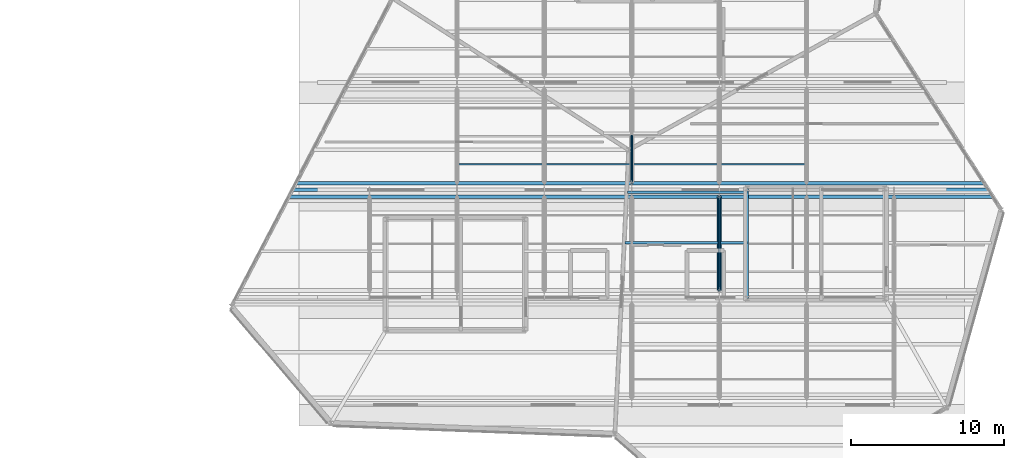
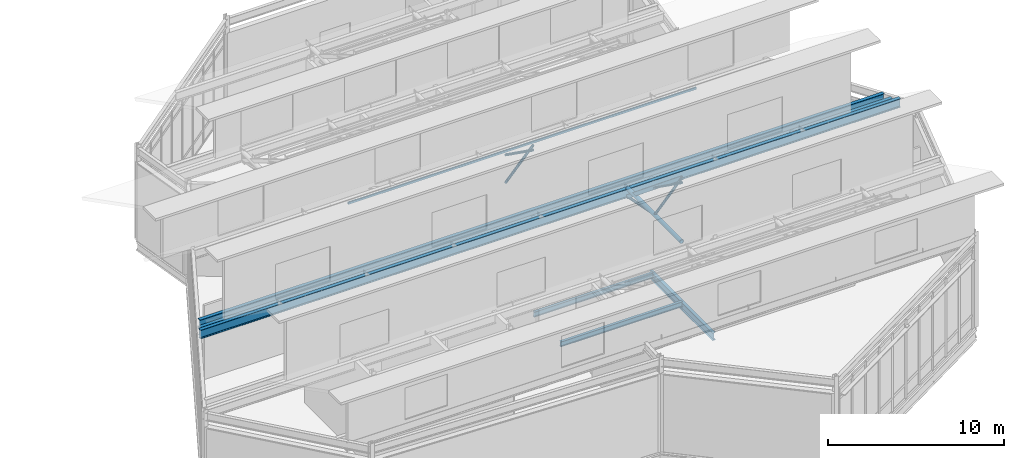
# One storey, part 20 of 55: 7 beams, 7 members.
"""IFC4 building model written with IfcOpenShell, lengths in metres."""

from ifc_helpers import new_model, si_unit, direction, frame, origin, origin_2d, place, context, subcontext, project, spatial, hollow_rectangle, hollow_circle, i_section, extrude, material, material_profile, profile_set, type_object, element, save


model = new_model("IFC4")

# Units and contexts
model_context = context("Model", 3, precision=1e-05, world=origin(), true_north=direction((0.0, 1.0)))
body_context = subcontext(model_context, "Body", "Model", "MODEL_VIEW")
ifc_project = project(units=[si_unit("LENGTHUNIT", "METRE"), si_unit("AREAUNIT", "SQUARE_METRE"), si_unit("VOLUMEUNIT", "CUBIC_METRE"), si_unit("PLANEANGLEUNIT", "RADIAN"), si_unit("MASSUNIT", "GRAM", prefix="KILO")], contexts=[model_context])

# Site, building, storey
site_placement = place(None, origin())
site = spatial("IfcSite", under=ifc_project, at=site_placement, CompositionType="ELEMENT")
building_placement = place(site_placement, origin())
building = spatial("IfcBuilding", under=site, at=building_placement, Name="Tameran Prism Museum", CompositionType="ELEMENT")
storey_placement = place(building_placement, frame((0.0, 0.0, 28.800048828125)))
storey = spatial("IfcBuildingStorey", under=building, at=storey_placement, Name="L05", CompositionType="ELEMENT", Elevation=28.800048828125)

# Beams
ifc_material_1 = material(Name="Steel Grade 300PLUS (300 MPa)", Category="steel")
ifc_material_profile_1 = material_profile(ifc_material_1, i_section(OverallWidth=0.172119140625, OverallDepth=0.35888671875, WebThickness=0.008056640625, FlangeThickness=0.012939453125, FilletRadius=0.011474609375, at=origin_2d()))
ifc_profile_set_1 = profile_set([ifc_material_profile_1])
beam_type_1 = type_object("IfcBeamType", Name="BM-J360A", PredefinedType="JOIST", material=ifc_profile_set_1)
beam_1_placement = place(storey_placement, frame((118.7060546875, 86.35009765625, -0.41943359375), z_axis=(1.0, 0.0, 0.0), x_axis=(0.0, 1.0, 0.0)))
element("IfcBeam", 1, at=beam_1_placement, inside=storey, type_object=beam_type_1, Name="Floor Beam BM-1301", PredefinedType="JOIST", context=body_context, shape_type="SweptSolid", body=[
    extrude(i_section(OverallWidth=0.172119140625, OverallDepth=0.35888671875, WebThickness=0.008056640625, FlangeThickness=0.012939453125, FilletRadius=0.011474609375, at=origin_2d()), origin(), (0.0, 0.0, 1.0), 7.81396484375),
])
ifc_material_2 = material(Name="Steel Grade 300PLUS (300 MPa)", Category="steel")
ifc_material_profile_2 = material_profile(ifc_material_2, i_section(OverallWidth=0.1708984375, OverallDepth=0.35595703125, WebThickness=0.00732421875, FlangeThickness=0.011474609375, FilletRadius=0.011474609375, at=origin_2d()))
ifc_profile_set_2 = profile_set([ifc_material_profile_2])
beam_type_2 = type_object("IfcBeamType", Name="BM-J360B", PredefinedType="JOIST", material=ifc_profile_set_2)
beam_2_placement = place(storey_placement, frame((118.5458984375, 83.050048828125, -0.41796875), z_axis=(1.0, 0.0, 0.0), x_axis=(0.0, 1.0, 0.0)))
element("IfcBeam", 2, at=beam_2_placement, inside=storey, type_object=beam_type_2, Name="Floor Beam BM-1299", PredefinedType="JOIST", context=body_context, shape_type="SweptSolid", body=[
    extrude(i_section(OverallWidth=0.1708984375, OverallDepth=0.35595703125, WebThickness=0.00732421875, FlangeThickness=0.011474609375, FilletRadius=0.011474609375, at=origin_2d()), origin(), (0.0, 0.0, 1.0), 7.97412109375),
])
ifc_material_3 = material(Name="Steel Grade C350L0 (350 MPa)", Category="steel")
ifc_material_profile_3 = material_profile(ifc_material_3, hollow_rectangle(XDim=0.10009765625, YDim=0.14990234375, WallThickness=0.006103515625, InnerFilletRadius=0.009033203125, OuterFilletRadius=0.014892578125, at=origin_2d()))
ifc_profile_set_3 = profile_set([ifc_material_profile_3])
beam_type_3 = type_object("IfcBeamType", Name="BM-PUR150", PredefinedType="USERDEFINED", material=ifc_profile_set_3)
beam_3_placement = place(storey_placement, frame((107.60009765625, 88.1640625, 10.0390625), z_axis=(1.0, 0.0, 0.0), x_axis=(0.0, 1.0, 0.0)))
element("IfcBeam", 3, at=beam_3_placement, inside=storey, type_object=beam_type_3, Name="Sawtooth Purlin PR-013", ObjectType="PURLIN", PredefinedType="USERDEFINED", context=body_context, shape_type="SweptSolid", body=[
    extrude(hollow_rectangle(XDim=0.10009765625, YDim=0.14990234375, WallThickness=0.006103515625, InnerFilletRadius=0.009033203125, OuterFilletRadius=0.014892578125, at=origin_2d()), origin(), (0.0, 0.0, 1.0), 22.7998046875),
])
ifc_material_4 = material(Name="Steel Grade 300PLUS (300 MPa)", Category="steel")
ifc_material_profile_4 = material_profile(ifc_material_4, i_section(OverallWidth=0.208984375, OverallDepth=0.528076171875, WebThickness=0.009521484375, FlangeThickness=0.01318359375, FilletRadius=0.013916015625, at=origin_2d()))
ifc_profile_set_4 = profile_set([ifc_material_profile_4])
beam_type_4 = type_object("IfcBeamType", Name="BM-SP530B", PredefinedType="SPANDREL", material=ifc_profile_set_4)
beam_4_placement = place(storey_placement, frame((126.52001953125, 86.580078125, -0.504150390625), z_axis=(0.0, -1.0, 0.0), x_axis=(1.0, 0.0, 0.0)))
element("IfcBeam", 4, at=beam_4_placement, inside=storey, type_object=beam_type_4, Name="Core Ring Beam CTB-1278", PredefinedType="SPANDREL", context=body_context, shape_type="SweptSolid", body=[
    extrude(i_section(OverallWidth=0.208984375, OverallDepth=0.528076171875, WebThickness=0.009521484375, FlangeThickness=0.01318359375, FilletRadius=0.013916015625, at=origin_2d()), origin(), (0.0, 0.0, 1.0), 7.16015625),
])
ifc_material_5 = material(Name="Steel Grade 300PLUS (300 MPa)", Category="steel")
ifc_material_profile_5 = material_profile(ifc_material_5, i_section(OverallWidth=0.22900390625, OverallDepth=0.612060546875, WebThickness=0.011962890625, FlangeThickness=0.01953125, FilletRadius=0.013916015625, at=origin_2d()))
ifc_profile_set_5 = profile_set([ifc_material_profile_5])
beam_type_5 = type_object("IfcBeamType", Name="BM-UB610A", PredefinedType="BEAM", material=ifc_profile_set_5)
beam_5_placement = place(storey_placement, frame((96.68505859375, 86.06005859375, 6.10595703125), z_axis=(1.0, 0.0, 0.0), x_axis=(0.0, 1.0, 0.0)))
element("IfcBeam", 5, at=beam_5_placement, inside=storey, type_object=beam_type_5, Name="Sawtooth Support Girder SRG-011", PredefinedType="BEAM", context=body_context, shape_type="SweptSolid", body=[
    extrude(i_section(OverallWidth=0.22900390625, OverallDepth=0.612060546875, WebThickness=0.011962890625, FlangeThickness=0.01953125, FilletRadius=0.013916015625, at=origin_2d()), origin(), (0.0, 0.0, 1.0), 45.81689453125),
])
beam_6_placement = place(storey_placement, frame((97.14501953125, 86.93994140625, 6.10595703125), z_axis=(1.0, 0.0, 0.0), x_axis=(0.0, 1.0, 0.0)))
element("IfcBeam", 6, at=beam_6_placement, inside=storey, type_object=beam_type_5, Name="Sawtooth Support Girder SRG-016", PredefinedType="BEAM", context=body_context, shape_type="SweptSolid", body=[
    extrude(i_section(OverallWidth=0.22900390625, OverallDepth=0.612060546875, WebThickness=0.011962890625, FlangeThickness=0.01953125, FilletRadius=0.013916015625, at=origin_2d()), origin(), (0.0, 0.0, 1.0), 44.79296875),
])
beam_7_placement = place(storey_placement, frame((96.9150390625, 86.5, 5.94384765625), z_axis=(1.0, 0.0, 0.0), x_axis=(0.0, 1.0, 0.0)))
element("IfcBeam", 7, at=beam_7_placement, inside=storey, type_object=beam_type_5, Name="Sawtooth Support Girder SRG-018", PredefinedType="BEAM", context=body_context, shape_type="SweptSolid", body=[
    extrude(i_section(OverallWidth=0.22900390625, OverallDepth=0.612060546875, WebThickness=0.011962890625, FlangeThickness=0.01953125, FilletRadius=0.013916015625, at=origin_2d()), origin(), (0.0, 0.0, 1.0), 45.304931640625),
])

# Members
ifc_material_6 = material(Name="Steel Grade C350L0 (350 MPa)", Category="steel")
ifc_material_profile_6 = material_profile(ifc_material_6, hollow_circle(Radius=0.084228515625, WallThickness=0.007080078125, at=origin_2d()))
ifc_profile_set_6 = profile_set([ifc_material_profile_6])
member_type_1 = type_object("IfcMemberType", Name="MM-BR-CHS168", PredefinedType="BRACE", material=ifc_profile_set_6)
member_1_placement = place(storey_placement, frame((124.699951171875, 83.0, 6.385986328125), z_axis=(0.0, -0.570800267729, 0.821088944244), x_axis=(1.0, 0.0, 0.0)))
element("IfcMember", 8, at=member_1_placement, inside=storey, type_object=member_type_1, Name="Sawtooth Brace STM-0061", PredefinedType="BRACE", context=body_context, shape_type="SweptSolid", body=[
    extrude(hollow_circle(Radius=0.084228515625, WallThickness=0.007080078125, at=origin_2d()), origin(), (0.0, 0.0, 1.0), 5.361083984375),
])
member_2_placement = place(storey_placement, frame((124.699951171875, 83.0, 6.385986328125), z_axis=(0.0, 0.981426640065, -0.191837822575), x_axis=(-1.0, 0.0, 0.0)))
element("IfcMember", 9, at=member_2_placement, inside=storey, type_object=member_type_1, Name="Sawtooth Brace STM-0062", PredefinedType="BRACE", context=body_context, shape_type="SweptSolid", body=[
    extrude(hollow_circle(Radius=0.084228515625, WallThickness=0.007080078125, at=origin_2d()), origin(), (0.0, 0.0, 1.0), 3.117919921875),
])
member_3_placement = place(storey_placement, frame((119.0, 90.0, 6.385986328125), z_axis=(0.0, -0.570800267729, 0.821088944244), x_axis=(1.0, 0.0, 0.0)))
element("IfcMember", 10, at=member_3_placement, inside=storey, type_object=member_type_1, Name="Sawtooth Brace STM-0096", PredefinedType="BRACE", context=body_context, shape_type="SweptSolid", body=[
    extrude(hollow_circle(Radius=0.084228515625, WallThickness=0.007080078125, at=origin_2d()), origin(), (0.0, 0.0, 1.0), 5.361083984375),
])
ifc_material_7 = material(Name="Steel Grade C350L0 (350 MPa)", Category="steel")
ifc_material_profile_7 = material_profile(ifc_material_7, hollow_circle(Radius=0.136474609375, WallThickness=0.00927734375, at=origin_2d()))
ifc_profile_set_7 = profile_set([ifc_material_profile_7])
member_type_2 = type_object("IfcMemberType", Name="MM-CH-CHS273", PredefinedType="CHORD", material=ifc_profile_set_7)
member_4_placement = place(storey_placement, frame((124.699951171875, 79.93994140625, 6.385986328125), z_axis=(0.0, 1.0, 0.0), x_axis=(-1.0, 0.0, 0.0)))
element("IfcMember", 11, at=member_4_placement, inside=storey, type_object=member_type_2, Name="Sawtooth Chord STM-0057", PredefinedType="CHORD", context=body_context, shape_type="SweptSolid", body=[
    extrude(hollow_circle(Radius=0.136474609375, WallThickness=0.00927734375, at=origin_2d()), origin(), (0.0, 0.0, 1.0), 6.1201171875),
])
ifc_material_8 = material(Name="Steel Grade C350L0 (350 MPa)", Category="steel")
ifc_material_profile_8 = material_profile(ifc_material_8, hollow_rectangle(XDim=0.14990234375, YDim=0.25, WallThickness=0.009033203125, InnerFilletRadius=0.013427734375, OuterFilletRadius=0.0224609375, at=origin_2d()))
ifc_profile_set_8 = profile_set([ifc_material_profile_8])
member_type_3 = type_object("IfcMemberType", Name="MM-RF-RHS250", PredefinedType="RAFTER", material=ifc_profile_set_8)
member_5_placement = place(storey_placement, frame((124.699951171875, 79.93994140625, 10.787841796875), z_axis=(0.0, 0.774414062505, -0.632679112817), x_axis=(-1.0, 0.0, 0.0)))
element("IfcMember", 12, at=member_5_placement, inside=storey, type_object=member_type_3, Name="Sawtooth Rafter STM-0058", PredefinedType="RAFTER", context=body_context, shape_type="SweptSolid", body=[
    extrude(hollow_rectangle(XDim=0.14990234375, YDim=0.25, WallThickness=0.009033203125, InnerFilletRadius=0.013427734375, OuterFilletRadius=0.0224609375, at=origin_2d()), origin(), (0.0, 0.0, 1.0), 7.90283203125),
])
ifc_material_9 = material(Name="Steel Grade C350L0 (350 MPa)", Category="steel")
ifc_material_profile_9 = material_profile(ifc_material_9, hollow_circle(Radius=0.084228515625, WallThickness=0.007080078125, at=origin_2d()))
ifc_profile_set_9 = profile_set([ifc_material_profile_9])
member_type_4 = type_object("IfcMemberType", Name="MM-ST-CHS168", PredefinedType="STRUT", material=ifc_profile_set_9)
for number, where, z_axis, x_axis, name in (
    (13, (124.699951171875, 79.93994140625, 10.468017578125), (0.0, 0.814435342728, -0.580254317102), (-1.0, 0.0, 0.0), "Sawtooth Strut STM-0063"),
    (14, (119.0, 86.93994140625, 10.468017578125), (0.0, 0.814435342728, -0.580254317102), (-1.0, 0.0, 0.0), "Sawtooth Strut STM-0098"),
):
    element("IfcMember", number, at=place(storey_placement, frame(where, z_axis=z_axis, x_axis=x_axis)), inside=storey, type_object=member_type_4, Name=name, PredefinedType="STRUT", context=body_context, shape_type="SweptSolid", body=[
        extrude(hollow_circle(Radius=0.084228515625, WallThickness=0.007080078125, at=origin_2d()), origin(), (0.0, 0.0, 1.0), 3.75732421875),
    ])

save(model, "model.ifc")
